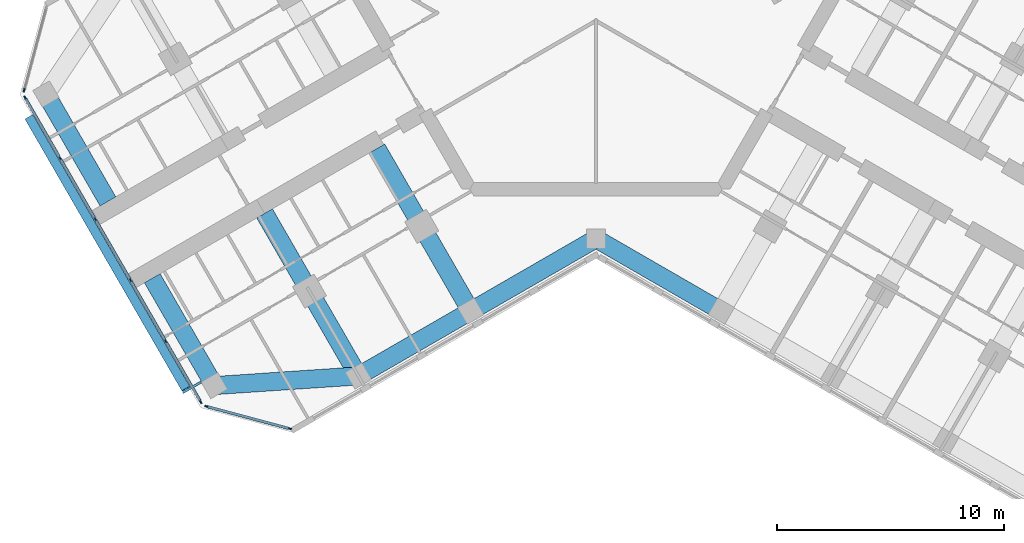
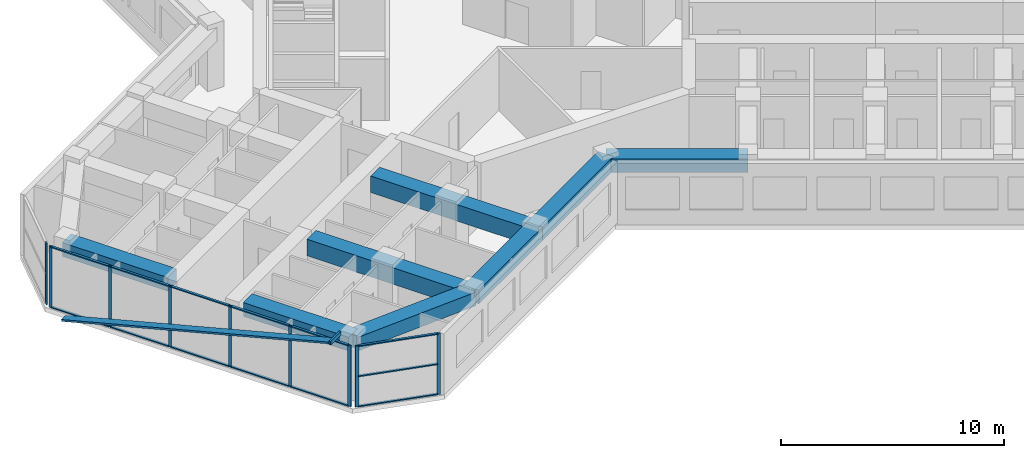
# One storey, part 2 of 16: 24 members, 8 beams, 3 elements without a shape of their own.
"""IFC4 building model written with IfcOpenShell, lengths in metres."""

from ifc_helpers import new_model, si_unit, direction, frame, origin, origin_2d, place, context, subcontext, project, spatial, rectangle, hollow_rectangle, extrude, material, material_profile, profile_set, type_object, element, aggregate, save


model = new_model("IFC4")

# Units and contexts
model_context = context("Model", 3, precision=1e-05, world=origin(), true_north=direction((0.0, 1.0)))
body_context = subcontext(model_context, "Body", "Model", "MODEL_VIEW")
ifc_project = project(units=[si_unit("LENGTHUNIT", "METRE"), si_unit("AREAUNIT", "SQUARE_METRE"), si_unit("VOLUMEUNIT", "CUBIC_METRE"), si_unit("PLANEANGLEUNIT", "RADIAN"), si_unit("MASSUNIT", "GRAM", prefix="KILO")], contexts=[model_context])

# Site, building, storey
site_placement = place(None, origin())
site = spatial("IfcSite", under=ifc_project, at=site_placement, CompositionType="ELEMENT")
building_placement = place(site_placement, origin())
building = spatial("IfcBuilding", under=site, at=building_placement, Name="Kosmar Iwan School Tower", CompositionType="ELEMENT")
storey_placement = place(building_placement, frame((0.0, 0.0, 253.199951171875)))
storey = spatial("IfcBuildingStorey", under=building, at=storey_placement, Name="L64", CompositionType="ELEMENT", Elevation=253.199951171875)

# Members
ifc_material_1 = material(Name="Black anodised aluminium", Category="aluminium")
ifc_material_profile_1 = material_profile(ifc_material_1, rectangle(XDim=0.10009765625, YDim=0.39990234375, at=origin_2d()), Name="FIN 100x400")
ifc_profile_set_1 = profile_set([ifc_material_profile_1], Name="Black anodised aluminium")
member_type_1 = type_object("IfcMemberType", Name="Diagonal fin 100x400", PredefinedType="USERDEFINED", material=ifc_profile_set_1)
member_1_placement = place(storey_placement, frame((-24.926513671875, -6.426025390625, -0.14990234375), z_axis=(0.483802480126, -0.837968840024, 0.252474520243), x_axis=(-0.126237445008, 0.218649241594, 0.967603543104)))
element("IfcMember", 1, at=member_1_placement, inside=storey, type_object=member_type_1, Name="Diagonal fin L64-F11", ObjectType="FIN", PredefinedType="USERDEFINED", context=body_context, shape_type="SweptSolid", body=[
    extrude(rectangle(XDim=0.10009765625, YDim=0.39990234375, at=origin_2d()), origin(), (0.0, 0.0, 1.0), 14.25830078125),
])
ifc_material_2 = material(Name="Steel S355", Category="steel")
ifc_material_profile_2 = material_profile(ifc_material_2, hollow_rectangle(XDim=0.10009765625, YDim=0.199951171875, WallThickness=0.008056640625, at=origin_2d()), Name="RHS 200x100x8")
ifc_profile_set_2 = profile_set([ifc_material_profile_2], Name="Steel S355")
member_type_2 = type_object("IfcMemberType", Name="Fin bracket RHS 200x100", PredefinedType="USERDEFINED", material=ifc_profile_set_2)
member_2_placement = place(storey_placement, frame((-17.362060546875, -18.078125, 3.47509765625), z_axis=(-0.866058118026, -0.49994333299, 0.0), x_axis=(0.49994333299, -0.866058118026, 0.0)))
element("IfcMember", 2, at=member_2_placement, inside=storey, type_object=member_type_2, Name="Fin bracket L65", ObjectType="FIN BRACKET", PredefinedType="USERDEFINED", context=body_context, shape_type="SweptSolid", body=[
    extrude(hollow_rectangle(XDim=0.10009765625, YDim=0.199951171875, WallThickness=0.008056640625, at=origin_2d()), origin(), (0.0, 0.0, 1.0), 0.9248046875),
])

# Curtain wall, member
ifc_material_3 = material(Name="Dark glass in black aluminium frame", Category="aluminium")
curtain_wall_type_1 = type_object("IfcCurtainWallType", Name="Chamfer curtain wall dark glass", PredefinedType="USERDEFINED", material=ifc_material_3)
curtain_wall_1_placement = place(storey_placement, origin())
curtain_wall_1 = element("IfcCurtainWall", 3, at=curtain_wall_1_placement, inside=storey, type_object=curtain_wall_type_1, Name="Curtain wall L64-F10", ObjectType="FACETED CURTAIN WALL", PredefinedType="USERDEFINED")
ifc_material_4 = material(Name="Black anodised aluminium", Category="aluminium")
ifc_material_profile_3 = material_profile(ifc_material_4, rectangle(XDim=0.06005859375, YDim=0.159912109375, at=origin_2d()), Name="MULLION 60x160")
ifc_profile_set_3 = profile_set([ifc_material_profile_3], Name="Black anodised aluminium")
member_type_3 = type_object("IfcMemberType", Name="Mullion 60x160", PredefinedType="MULLION", material=ifc_profile_set_3)
member_3_placement = place(storey_placement, frame((-25.141845703125, -5.24853515625, 0.0), z_axis=(0.0, 0.0, 1.0), x_axis=(0.965925875495, -0.258818861462, 0.0)))
member_3 = element("IfcMember", 4, at=member_3_placement, type_object=member_type_3, Name="CW2 mullion 2", PredefinedType="MULLION", context=body_context, shape_type="SweptSolid", body=[
    extrude(rectangle(XDim=0.06005859375, YDim=0.159912109375, at=origin_2d()), origin(), (0.0, 0.0, 1.0), 3.35009765625),
])
aggregate(curtain_wall_1, [member_3])

# Curtain wall, members
ifc_material_5 = material(Name="Dark glass in black aluminium frame", Category="aluminium")
curtain_wall_type_2 = type_object("IfcCurtainWallType", Name="Tower curtain wall dark glass", PredefinedType="USERDEFINED", material=ifc_material_5)
curtain_wall_2_placement = place(storey_placement, origin())
curtain_wall_2 = element("IfcCurtainWall", 5, at=curtain_wall_2_placement, inside=storey, type_object=curtain_wall_type_2, Name="Curtain wall L64-F11", ObjectType="UNITISED CURTAIN WALL", PredefinedType="USERDEFINED")
member_4_placement = place(storey_placement, frame((-25.098388671875, -5.578369140625, 0.0), z_axis=(0.0, 0.0, 1.0), x_axis=(0.866025405329, 0.499999997325, 0.0)))
member_4 = element("IfcMember", 6, at=member_4_placement, type_object=member_type_3, Name="CW1 mullion 1", PredefinedType="MULLION", context=body_context, shape_type="SweptSolid", body=[
    extrude(rectangle(XDim=0.06005859375, YDim=0.159912109375, at=origin_2d()), origin(), (0.0, 0.0, 1.0), 3.35009765625),
])
member_5_placement = place(storey_placement, frame((-23.563720703125, -8.236328125, 0.0), z_axis=(0.0, 0.0, 1.0), x_axis=(0.866025405329, 0.499999997325, 0.0)))
member_5 = element("IfcMember", 7, at=member_5_placement, type_object=member_type_3, Name="CW1 mullion 2", PredefinedType="MULLION", context=body_context, shape_type="SweptSolid", body=[
    extrude(rectangle(XDim=0.06005859375, YDim=0.159912109375, at=origin_2d()), origin(), (0.0, 0.0, 1.0), 3.35009765625),
])
member_6_placement = place(storey_placement, frame((-22.01416015625, -10.92041015625, 0.0), z_axis=(0.0, 0.0, 1.0), x_axis=(0.866025405329, 0.499999997325, 0.0)))
member_6 = element("IfcMember", 8, at=member_6_placement, type_object=member_type_3, Name="CW1 mullion 3", PredefinedType="MULLION", context=body_context, shape_type="SweptSolid", body=[
    extrude(rectangle(XDim=0.06005859375, YDim=0.159912109375, at=origin_2d()), origin(), (0.0, 0.0, 1.0), 3.35009765625),
])
member_7_placement = place(storey_placement, frame((-20.46435546875, -13.6044921875, 0.0), z_axis=(0.0, 0.0, 1.0), x_axis=(0.866025405329, 0.499999997325, 0.0)))
member_7 = element("IfcMember", 9, at=member_7_placement, type_object=member_type_3, Name="CW1 mullion 4", PredefinedType="MULLION", context=body_context, shape_type="SweptSolid", body=[
    extrude(rectangle(XDim=0.06005859375, YDim=0.159912109375, at=origin_2d()), origin(), (0.0, 0.0, 1.0), 3.35009765625),
])
member_8_placement = place(storey_placement, frame((-18.914794921875, -16.28857421875, 0.0), z_axis=(0.0, 0.0, 1.0), x_axis=(0.866025405329, 0.499999997325, 0.0)))
member_8 = element("IfcMember", 10, at=member_8_placement, type_object=member_type_3, Name="CW1 mullion 5", PredefinedType="MULLION", context=body_context, shape_type="SweptSolid", body=[
    extrude(rectangle(XDim=0.06005859375, YDim=0.159912109375, at=origin_2d()), origin(), (0.0, 0.0, 1.0), 3.35009765625),
])
member_9_placement = place(storey_placement, frame((-17.380126953125, -18.94677734375, 0.0), z_axis=(0.0, 0.0, 1.0), x_axis=(0.866025405329, 0.499999997325, 0.0)))
member_9 = element("IfcMember", 11, at=member_9_placement, type_object=member_type_3, Name="CW1 mullion 6", PredefinedType="MULLION", context=body_context, shape_type="SweptSolid", body=[
    extrude(rectangle(XDim=0.06005859375, YDim=0.159912109375, at=origin_2d()), origin(), (0.0, 0.0, 1.0), 3.35009765625),
])

curtain_wall_3_placement = place(storey_placement, origin())
curtain_wall_3 = element("IfcCurtainWall", 12, at=curtain_wall_3_placement, inside=storey, type_object=curtain_wall_type_1, Name="Curtain wall L64-F12", ObjectType="FACETED CURTAIN WALL", PredefinedType="USERDEFINED")
member_10_placement = place(storey_placement, frame((-17.1162109375, -19.149169921875, 0.0), z_axis=(0.0, 0.0, 1.0), x_axis=(0.258818861462, 0.965925875495, 0.0)))
member_10 = element("IfcMember", 13, at=member_10_placement, type_object=member_type_3, Name="CW2 mullion 1", PredefinedType="MULLION", context=body_context, shape_type="SweptSolid", body=[
    extrude(rectangle(XDim=0.06005859375, YDim=0.159912109375, at=origin_2d()), origin(), (0.0, 0.0, 1.0), 3.35009765625),
])
member_11_placement = place(storey_placement, frame((-13.466064453125, -20.127197265625, 0.0), z_axis=(0.0, 0.0, 1.0), x_axis=(0.258818861462, 0.965925875495, 0.0)))
member_11 = element("IfcMember", 14, at=member_11_placement, type_object=member_type_3, Name="CW2 mullion 2", PredefinedType="MULLION", context=body_context, shape_type="SweptSolid", body=[
    extrude(rectangle(XDim=0.06005859375, YDim=0.159912109375, at=origin_2d()), origin(), (0.0, 0.0, 1.0), 3.35009765625),
])

# Beams
ifc_material_6 = material(Name="Concrete C50/60", Category="concrete")
ifc_material_profile_4 = material_profile(ifc_material_6, rectangle(XDim=0.800048828125, YDim=0.75, at=origin_2d()), Name="RC 800x750")
ifc_profile_set_4 = profile_set([ifc_material_profile_4], Name="Concrete C50/60")
beam_type_1 = type_object("IfcBeamType", Name="RC edge beam 800x750", PredefinedType="BEAM", material=ifc_profile_set_4)
beam_1_placement = place(storey_placement, frame((0.0, -11.77783203125, 2.97509765625), z_axis=(-0.866014293216, -0.500019243575, 0.0), x_axis=(0.500019243575, -0.866014293216, 0.0)))
element("IfcBeam", 15, at=beam_1_placement, inside=storey, type_object=beam_type_1, Name="Edge beam BL1", PredefinedType="BEAM", context=body_context, shape_type="SweptSolid", body=[
    extrude(rectangle(XDim=0.800048828125, YDim=0.75, at=origin_2d()), origin(), (0.0, 0.0, 1.0), 6.361083984375),
])
beam_2_placement = place(storey_placement, frame((-5.5087890625, -14.95849609375, 2.97509765625), z_axis=(-0.866033658841, -0.49998570155, 0.0), x_axis=(0.49998570155, -0.866033658841, 0.0)))
element("IfcBeam", 16, at=beam_2_placement, inside=storey, type_object=beam_type_1, Name="Edge beam BL2", PredefinedType="BEAM", context=body_context, shape_type="SweptSolid", body=[
    extrude(rectangle(XDim=0.800048828125, YDim=0.75, at=origin_2d()), origin(), (0.0, 0.0, 1.0), 5.699951171875),
])
beam_3_placement = place(storey_placement, frame((0.0, -11.77783203125, 2.97509765625), z_axis=(0.866014293216, -0.500019243575, 0.0), x_axis=(0.500019243575, 0.866014293216, 0.0)))
element("IfcBeam", 17, at=beam_3_placement, inside=storey, type_object=beam_type_1, Name="Edge beam CR1", PredefinedType="BEAM", context=body_context, shape_type="SweptSolid", body=[
    extrude(rectangle(XDim=0.800048828125, YDim=0.75, at=origin_2d()), origin(), (0.0, 0.0, 1.0), 6.361083984375),
])
ifc_material_7 = material(Name="Concrete C50/60", Category="concrete")
ifc_material_profile_5 = material_profile(ifc_material_7, rectangle(XDim=0.800048828125, YDim=0.75, at=origin_2d()), Name="RC 800x750")
ifc_profile_set_5 = profile_set([ifc_material_profile_5], Name="Concrete C50/60")
beam_type_2 = type_object("IfcBeamType", Name="RC tip beam 800x750", PredefinedType="BEAM", material=ifc_profile_set_5)
beam_4_placement = place(storey_placement, frame((-10.445068359375, -17.808349609375, 2.97509765625), z_axis=(-0.997755118724, -0.066968074933, 0.0), x_axis=(0.066968074933, -0.997755118724, 0.0)))
element("IfcBeam", 18, at=beam_4_placement, inside=storey, type_object=beam_type_2, Name="Tip beam BL", PredefinedType="BEAM", context=body_context, shape_type="SweptSolid", body=[
    extrude(rectangle(XDim=0.800048828125, YDim=0.75, at=origin_2d()), origin(), (0.0, 0.0, 1.0), 6.3505859375),
])
beam_5_placement = place(storey_placement, frame((-16.781494140625, -18.233642578125, 2.97509765625), z_axis=(-0.500002931134, 0.866023711487, 0.0), x_axis=(-0.866023711487, -0.500002931134, 0.0)))
element("IfcBeam", 19, at=beam_5_placement, inside=storey, type_object=beam_type_2, Name="Tip beam BL to corridor wall", PredefinedType="BEAM", context=body_context, shape_type="SweptSolid", body=[
    extrude(rectangle(XDim=0.800048828125, YDim=0.75, at=origin_2d()), origin(), (0.0, 0.0, 1.0), 5.4501953125),
])
beam_6_placement = place(storey_placement, frame((-24.181396484375, -5.41650390625, 2.97509765625), z_axis=(0.499988730927, -0.866031909889, 0.0), x_axis=(0.866031909889, 0.499988730927, 0.0)))
element("IfcBeam", 20, at=beam_6_placement, inside=storey, type_object=beam_type_2, Name="Tip beam BR to corridor wall", PredefinedType="BEAM", context=body_context, shape_type="SweptSolid", body=[
    extrude(rectangle(XDim=0.800048828125, YDim=0.75, at=origin_2d()), origin(), (0.0, 0.0, 1.0), 5.449951171875),
])
ifc_material_8 = material(Name="Concrete C50/60", Category="concrete")
ifc_material_profile_6 = material_profile(ifc_material_8, rectangle(XDim=0.800048828125, YDim=0.89990234375, at=origin_2d()), Name="RC 800x900")
ifc_profile_set_6 = profile_set([ifc_material_profile_6], Name="Concrete C50/60")
beam_type_3 = type_object("IfcBeamType", Name="RC transverse beam 800x900", PredefinedType="BEAM", material=ifc_profile_set_6)
beam_7_placement = place(storey_placement, frame((-5.5087890625, -14.95849609375, 2.900146484375), z_axis=(-0.499996545922, 0.866027397988, 0.0), x_axis=(-0.866027397988, -0.499996545922, 0.0)))
element("IfcBeam", 21, at=beam_7_placement, inside=storey, type_object=beam_type_3, Name="Transverse beam BL1", PredefinedType="BEAM", context=body_context, shape_type="SweptSolid", body=[
    extrude(rectangle(XDim=0.800048828125, YDim=0.89990234375, at=origin_2d()), origin(), (0.0, 0.0, 1.0), 8.25),
])
beam_8_placement = place(storey_placement, frame((-10.445068359375, -17.808349609375, 2.900146484375), z_axis=(-0.500009360108, 0.866019999656, 0.0), x_axis=(-0.866019999656, -0.500009360108, 0.0)))
element("IfcBeam", 22, at=beam_8_placement, inside=storey, type_object=beam_type_3, Name="Transverse beam BL2", PredefinedType="BEAM", context=body_context, shape_type="SweptSolid", body=[
    extrude(rectangle(XDim=0.800048828125, YDim=0.89990234375, at=origin_2d()), origin(), (0.0, 0.0, 1.0), 8.249755859375),
])

# Member
ifc_material_9 = material(Name="Black anodised aluminium", Category="aluminium")
ifc_material_profile_7 = material_profile(ifc_material_9, rectangle(XDim=0.1201171875, YDim=0.06005859375, at=origin_2d()), Name="TRANSOM 60x120")
ifc_profile_set_7 = profile_set([ifc_material_profile_7], Name="Black anodised aluminium")
member_type_4 = type_object("IfcMemberType", Name="Transom 60x120", PredefinedType="USERDEFINED", material=ifc_profile_set_7)
member_12_placement = place(storey_placement, frame((-25.08349609375, -5.604248046875, 0.030029296875), z_axis=(0.499986971506, -0.866032925658, 0.0), x_axis=(0.866032925658, 0.499986971506, 0.0)))
member_12 = element("IfcMember", 23, at=member_12_placement, type_object=member_type_4, Name="CW1 transom 1.1", ObjectType="TRANSOM", PredefinedType="USERDEFINED", context=body_context, shape_type="SweptSolid", body=[
    extrude(rectangle(XDim=0.1201171875, YDim=0.06005859375, at=origin_2d()), origin(), (0.0, 0.0, 1.0), 3.00927734375),
])

member_13_placement = place(storey_placement, frame((-25.08349609375, -5.604248046875, 3.320068359375), z_axis=(0.499986971506, -0.866032925658, 0.0), x_axis=(0.866032925658, 0.499986971506, 0.0)))
member_13 = element("IfcMember", 24, at=member_13_placement, type_object=member_type_4, Name="CW1 transom 1.2", ObjectType="TRANSOM", PredefinedType="USERDEFINED", context=body_context, shape_type="SweptSolid", body=[
    extrude(rectangle(XDim=0.1201171875, YDim=0.06005859375, at=origin_2d()), origin(), (0.0, 0.0, 1.0), 3.00927734375),
])

member_14_placement = place(storey_placement, frame((-23.548828125, -8.262451171875, 0.030029296875), z_axis=(0.500035348339, -0.866004994449, 0.0), x_axis=(0.866004994449, 0.500035348339, 0.0)))
member_14 = element("IfcMember", 25, at=member_14_placement, type_object=member_type_4, Name="CW1 transom 2.1", ObjectType="TRANSOM", PredefinedType="USERDEFINED", context=body_context, shape_type="SweptSolid", body=[
    extrude(rectangle(XDim=0.1201171875, YDim=0.06005859375, at=origin_2d()), origin(), (0.0, 0.0, 1.0), 3.039306640625),
])

member_15_placement = place(storey_placement, frame((-23.548828125, -8.262451171875, 3.320068359375), z_axis=(0.500035348339, -0.866004994449, 0.0), x_axis=(0.866004994449, 0.500035348339, 0.0)))
member_15 = element("IfcMember", 26, at=member_15_placement, type_object=member_type_4, Name="CW1 transom 2.2", ObjectType="TRANSOM", PredefinedType="USERDEFINED", context=body_context, shape_type="SweptSolid", body=[
    extrude(rectangle(XDim=0.1201171875, YDim=0.06005859375, at=origin_2d()), origin(), (0.0, 0.0, 1.0), 3.039306640625),
])

member_16_placement = place(storey_placement, frame((-21.9990234375, -10.946533203125, 0.030029296875), z_axis=(0.499975102327, -0.866039777986, 0.0), x_axis=(0.866039777986, 0.499975102327, 0.0)))
member_16 = element("IfcMember", 27, at=member_16_placement, type_object=member_type_4, Name="CW1 transom 3.1", ObjectType="TRANSOM", PredefinedType="USERDEFINED", context=body_context, shape_type="SweptSolid", body=[
    extrude(rectangle(XDim=0.1201171875, YDim=0.06005859375, at=origin_2d()), origin(), (0.0, 0.0, 1.0), 3.039306640625),
])

member_17_placement = place(storey_placement, frame((-21.9990234375, -10.946533203125, 3.320068359375), z_axis=(0.499975102327, -0.866039777986, 0.0), x_axis=(0.866039777986, 0.499975102327, 0.0)))
member_17 = element("IfcMember", 28, at=member_17_placement, type_object=member_type_4, Name="CW1 transom 3.2", ObjectType="TRANSOM", PredefinedType="USERDEFINED", context=body_context, shape_type="SweptSolid", body=[
    extrude(rectangle(XDim=0.1201171875, YDim=0.06005859375, at=origin_2d()), origin(), (0.0, 0.0, 1.0), 3.039306640625),
])

member_18_placement = place(storey_placement, frame((-20.449462890625, -13.630615234375, 0.030029296875), z_axis=(0.500035348339, -0.866004994449, 0.0), x_axis=(0.866004994449, 0.500035348339, 0.0)))
member_18 = element("IfcMember", 29, at=member_18_placement, type_object=member_type_4, Name="CW1 transom 4.1", ObjectType="TRANSOM", PredefinedType="USERDEFINED", context=body_context, shape_type="SweptSolid", body=[
    extrude(rectangle(XDim=0.1201171875, YDim=0.06005859375, at=origin_2d()), origin(), (0.0, 0.0, 1.0), 3.039306640625),
])

member_19_placement = place(storey_placement, frame((-20.449462890625, -13.630615234375, 3.320068359375), z_axis=(0.500035348339, -0.866004994449, 0.0), x_axis=(0.866004994449, 0.500035348339, 0.0)))
member_19 = element("IfcMember", 30, at=member_19_placement, type_object=member_type_4, Name="CW1 transom 4.2", ObjectType="TRANSOM", PredefinedType="USERDEFINED", context=body_context, shape_type="SweptSolid", body=[
    extrude(rectangle(XDim=0.1201171875, YDim=0.06005859375, at=origin_2d()), origin(), (0.0, 0.0, 1.0), 3.039306640625),
])

member_20_placement = place(storey_placement, frame((-18.89990234375, -16.314697265625, 0.030029296875), z_axis=(0.500022102064, -0.866012642776, 0.0), x_axis=(0.866012642776, 0.500022102064, 0.0)))
member_20 = element("IfcMember", 31, at=member_20_placement, type_object=member_type_4, Name="CW1 transom 5.1", ObjectType="TRANSOM", PredefinedType="USERDEFINED", context=body_context, shape_type="SweptSolid", body=[
    extrude(rectangle(XDim=0.1201171875, YDim=0.06005859375, at=origin_2d()), origin(), (0.0, 0.0, 1.0), 3.009033203125),
])

member_21_placement = place(storey_placement, frame((-18.89990234375, -16.314697265625, 3.320068359375), z_axis=(0.500022102064, -0.866012642776, 0.0), x_axis=(0.866012642776, 0.500022102064, 0.0)))
member_21 = element("IfcMember", 32, at=member_21_placement, type_object=member_type_4, Name="CW1 transom 5.2", ObjectType="TRANSOM", PredefinedType="USERDEFINED", context=body_context, shape_type="SweptSolid", body=[
    extrude(rectangle(XDim=0.1201171875, YDim=0.06005859375, at=origin_2d()), origin(), (0.0, 0.0, 1.0), 3.009033203125),
])

aggregate(curtain_wall_2, [member_4, member_5, member_6, member_7, member_8, member_9, member_12, member_13, member_14, member_15, member_16, member_17, member_18, member_19, member_20, member_21])

member_22_placement = place(storey_placement, frame((-17.08740234375, -19.156982421875, 0.030029296875), z_axis=(0.965940141052, -0.258765615768, 0.0), x_axis=(0.258765615768, 0.965940141052, 0.0)))
member_22 = element("IfcMember", 33, at=member_22_placement, type_object=member_type_4, Name="CW2 transom 1.1", ObjectType="TRANSOM", PredefinedType="USERDEFINED", context=body_context, shape_type="SweptSolid", body=[
    extrude(rectangle(XDim=0.1201171875, YDim=0.06005859375, at=origin_2d()), origin(), (0.0, 0.0, 1.0), 3.71923828125),
])

member_23_placement = place(storey_placement, frame((-17.08740234375, -19.156982421875, 1.675048828125), z_axis=(0.965940141052, -0.258765615768, 0.0), x_axis=(0.258765615768, 0.965940141052, 0.0)))
member_23 = element("IfcMember", 34, at=member_23_placement, type_object=member_type_4, Name="CW2 transom 1.2", ObjectType="TRANSOM", PredefinedType="USERDEFINED", context=body_context, shape_type="SweptSolid", body=[
    extrude(rectangle(XDim=0.1201171875, YDim=0.06005859375, at=origin_2d()), origin(), (0.0, 0.0, 1.0), 3.71923828125),
])

member_24_placement = place(storey_placement, frame((-17.08740234375, -19.156982421875, 3.320068359375), z_axis=(0.965940141052, -0.258765615768, 0.0), x_axis=(0.258765615768, 0.965940141052, 0.0)))
member_24 = element("IfcMember", 35, at=member_24_placement, type_object=member_type_4, Name="CW2 transom 1.3", ObjectType="TRANSOM", PredefinedType="USERDEFINED", context=body_context, shape_type="SweptSolid", body=[
    extrude(rectangle(XDim=0.1201171875, YDim=0.06005859375, at=origin_2d()), origin(), (0.0, 0.0, 1.0), 3.71923828125),
])

aggregate(curtain_wall_3, [member_10, member_11, member_22, member_23, member_24])

save(model, "model.ifc")
